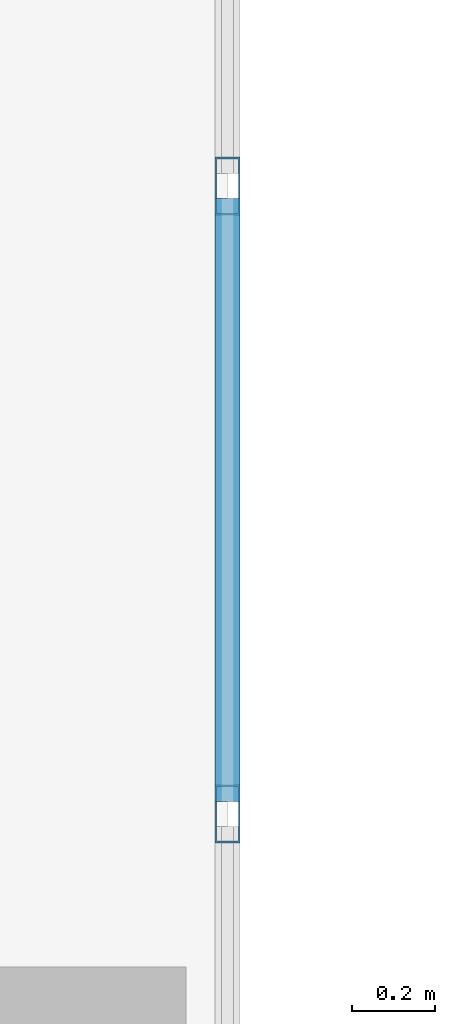
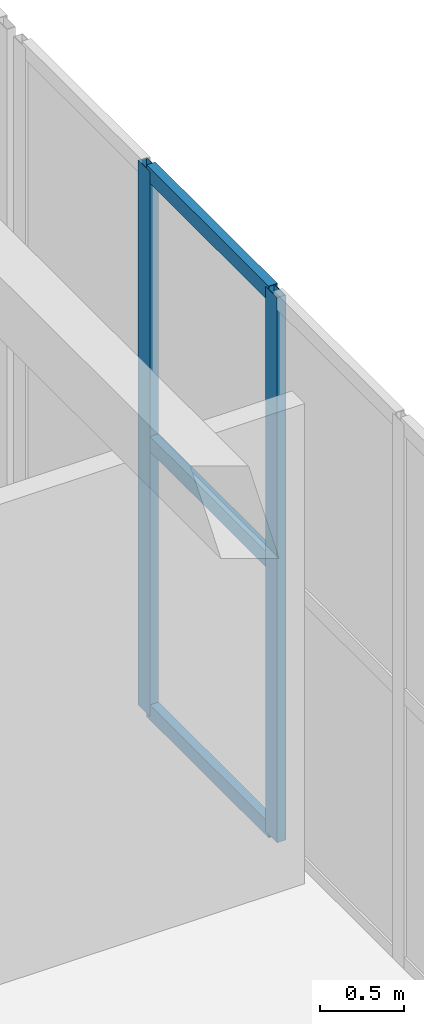
# One storey, part 73 of 140: 5 members, 1 element without a shape of its own.
"""IFC4 building model written with IfcOpenShell, lengths in metres."""

from ifc_helpers import new_model, si_unit, direction, frame, origin, origin_2d, place, context, subcontext, project, spatial, hollow_rectangle, extrude, material, layer, layer_set, material_profile, profile_set, type_object, element, aggregate, save


model = new_model("IFC4")

# Units and contexts
model_context = context("Model", 3, precision=1e-05, world=origin(), true_north=direction((0.0, 1.0)))
body_context = subcontext(model_context, "Body", "Model", "MODEL_VIEW")
ifc_project = project(units=[si_unit("LENGTHUNIT", "METRE"), si_unit("AREAUNIT", "SQUARE_METRE"), si_unit("VOLUMEUNIT", "CUBIC_METRE"), si_unit("PLANEANGLEUNIT", "RADIAN"), si_unit("MASSUNIT", "GRAM", prefix="KILO")], contexts=[model_context])

# Site, building, storey
site_placement = place(None, origin())
site = spatial("IfcSite", under=ifc_project, at=site_placement, CompositionType="ELEMENT")
building_placement = place(site_placement, origin())
building = spatial("IfcBuilding", under=site, at=building_placement, Name="Trelvath General Hospital", CompositionType="ELEMENT")
storey_placement = place(building_placement, frame((0.0, 0.0, 16.199951171875)))
storey = spatial("IfcBuildingStorey", under=building, at=storey_placement, Name="L04", CompositionType="ELEMENT", Elevation=16.199951171875)

# Curtain wall, members
ifc_material_1 = material(Name="Anodised aluminium and low-E glass", Category="aluminium")
ifc_layer = layer(ifc_material_1, 0.139892578125)
ifc_layer_set = layer_set([ifc_layer], Name="Anodised aluminium and low-E glass")
curtain_wall_type = type_object("IfcCurtainWallType", Name="CW CrystalCube 1664 396 14", PredefinedType="USERDEFINED", material=ifc_layer_set)
curtain_wall_placement = place(storey_placement, origin())
curtain_wall = element("IfcCurtainWall", 1, at=curtain_wall_placement, inside=storey, type_object=curtain_wall_type, Name="Crystal Cube Curtain Wall CUBE-E-T1 E3 L04", ObjectType="Unitised Glazed Curtain Wall", PredefinedType="USERDEFINED")
ifc_material_2 = material(Name="Anodised aluminium", Category="aluminium")
ifc_material_profile_1 = material_profile(ifc_material_2, hollow_rectangle(XDim=0.06005859375, YDim=0.139892578125, WallThickness=0.00390625, at=origin_2d()), Name="RHS60x140x4")
ifc_profile_set_1 = profile_set([ifc_material_profile_1], Name="Anodised aluminium")
member_type_1 = type_object("IfcMemberType", Name="CurtainMullion 60x140", PredefinedType="MULLION", material=ifc_profile_set_1)
member_1_placement = place(storey_placement, frame((114.800048828125, 65.607177734375, 0.0), z_axis=(0.0, 0.0, 1.0), x_axis=(1.0, 0.0, 0.0)))
member_1 = element("IfcMember", 2, at=member_1_placement, type_object=member_type_1, Name="CW-291 mullion 2", PredefinedType="MULLION", context=body_context, shape_type="SweptSolid", body=[
    extrude(hollow_rectangle(XDim=0.06005859375, YDim=0.139892578125, WallThickness=0.00390625, at=origin_2d()), origin(), (0.0, 0.0, 1.0), 3.9599609375),
])
member_2_placement = place(storey_placement, frame((114.800048828125, 64.094482421875, 0.0), z_axis=(0.0, 0.0, 1.0), x_axis=(1.0, 0.0, 0.0)))
member_2 = element("IfcMember", 3, at=member_2_placement, type_object=member_type_1, Name="CW-291 mullion 3", PredefinedType="MULLION", context=body_context, shape_type="SweptSolid", body=[
    extrude(hollow_rectangle(XDim=0.06005859375, YDim=0.139892578125, WallThickness=0.00390625, at=origin_2d()), origin(), (0.0, 0.0, 1.0), 3.9599609375),
])
ifc_material_3 = material(Name="Anodised aluminium", Category="aluminium")
ifc_material_profile_2 = material_profile(ifc_material_3, hollow_rectangle(XDim=0.06005859375, YDim=0.110107421875, WallThickness=0.00390625, at=origin_2d()), Name="RHS60x110x4")
ifc_profile_set_2 = profile_set([ifc_material_profile_2], Name="Anodised aluminium")
member_type_2 = type_object("IfcMemberType", Name="CurtainTransom 60x110", PredefinedType="USERDEFINED", material=ifc_profile_set_2)
member_3_placement = place(storey_placement, frame((114.800048828125, 65.577392578125, 0.030029296875), z_axis=(0.0, -1.0, 0.0), x_axis=(1.0, 0.0, 0.0)))
member_3 = element("IfcMember", 4, at=member_3_placement, type_object=member_type_2, Name="CW-291 transom 2.1", ObjectType="TRANSOM", PredefinedType="USERDEFINED", context=body_context, shape_type="SweptSolid", body=[
    extrude(hollow_rectangle(XDim=0.06005859375, YDim=0.110107421875, WallThickness=0.00390625, at=origin_2d()), origin(), (0.0, 0.0, 1.0), 1.452880859375),
])
member_4_placement = place(storey_placement, frame((114.800048828125, 65.577392578125, 1.97998046875), z_axis=(0.0, -1.0, 0.0), x_axis=(1.0, 0.0, 0.0)))
member_4 = element("IfcMember", 5, at=member_4_placement, type_object=member_type_2, Name="CW-291 transom 2.2", ObjectType="TRANSOM", PredefinedType="USERDEFINED", context=body_context, shape_type="SweptSolid", body=[
    extrude(hollow_rectangle(XDim=0.06005859375, YDim=0.110107421875, WallThickness=0.00390625, at=origin_2d()), origin(), (0.0, 0.0, 1.0), 1.452880859375),
])
member_5_placement = place(storey_placement, frame((114.800048828125, 65.577392578125, 3.929931640625), z_axis=(0.0, -1.0, 0.0), x_axis=(1.0, 0.0, 0.0)))
member_5 = element("IfcMember", 6, at=member_5_placement, type_object=member_type_2, Name="CW-291 transom 2.3", ObjectType="TRANSOM", PredefinedType="USERDEFINED", context=body_context, shape_type="SweptSolid", body=[
    extrude(hollow_rectangle(XDim=0.06005859375, YDim=0.110107421875, WallThickness=0.00390625, at=origin_2d()), origin(), (0.0, 0.0, 1.0), 1.452880859375),
])
aggregate(curtain_wall, [member_1, member_2, member_3, member_4, member_5])

save(model, "model.ifc")
